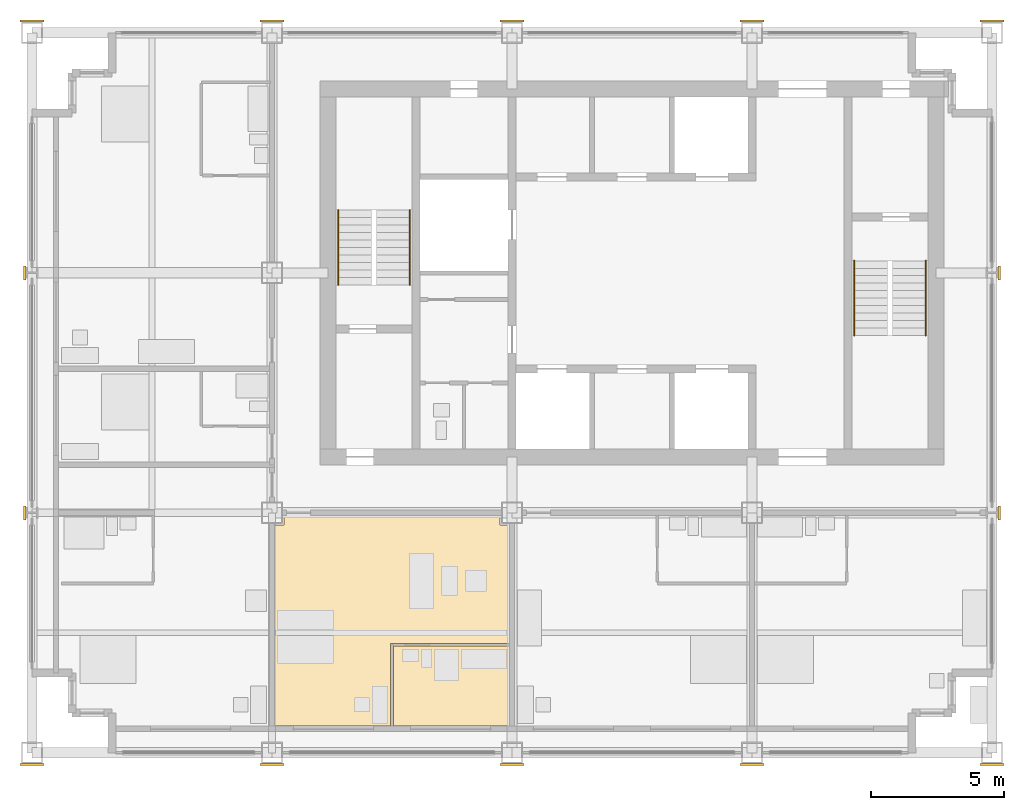
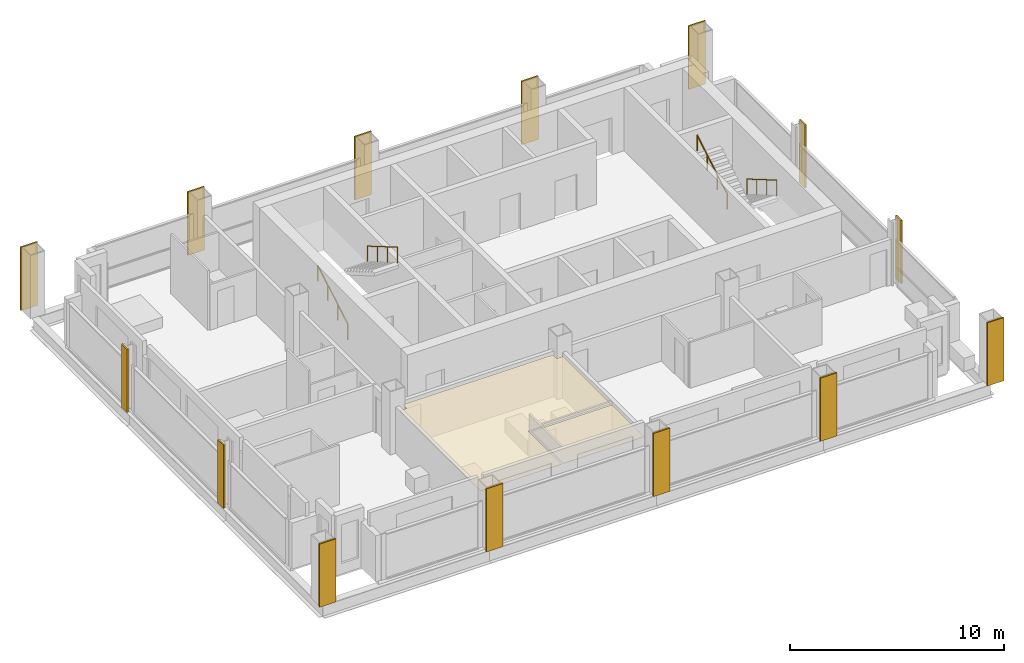
# One storey, part 9 of 11: 16 coverings, 4 railings.
"""IFC4 building model written with IfcOpenShell, lengths in metres."""

from ifc_helpers import new_model, si_unit, direction, frame, origin, origin_2d, place, context, subcontext, project, spatial, polyline, rectangle, circle, outline, extrude, material, layer, layer_set, type_object, element, save


model = new_model("IFC4")

# Units and contexts
model_context = context("Model", 3, precision=1e-05, world=origin(), true_north=direction((0.0, 1.0)))
body_context = subcontext(model_context, "Body", "Model", "MODEL_VIEW")
ifc_project = project(units=[si_unit("LENGTHUNIT", "METRE"), si_unit("AREAUNIT", "SQUARE_METRE"), si_unit("VOLUMEUNIT", "CUBIC_METRE"), si_unit("PLANEANGLEUNIT", "RADIAN"), si_unit("MASSUNIT", "GRAM", prefix="KILO")], contexts=[model_context])

# Site, building, storey
site_placement = place(None, origin())
site = spatial("IfcSite", under=ifc_project, at=site_placement, CompositionType="ELEMENT")
building_placement = place(site_placement, origin())
building = spatial("IfcBuilding", under=site, at=building_placement, Name="Loomwork Tower", CompositionType="ELEMENT")
storey_placement = place(building_placement, frame((0.0, 0.0, 241.0)))
storey = spatial("IfcBuildingStorey", under=building, at=storey_placement, Name="L66", CompositionType="ELEMENT", Elevation=241.0)

# Railings
ifc_material_1 = material(Name="Stainless steel handrail", Category="steel")
railing_type = type_object("IfcRailingType", Name="Handrail 900", PredefinedType="HANDRAIL", material=ifc_material_1)
railing_1_placement = place(storey_placement, frame((11.485107421875, 17.550048828125, 0.16357421875)))
element("IfcRailing", 1, at=railing_1_placement, inside=storey, type_object=railing_type, Name="Stair A handrail flight 1 L66", PredefinedType="HANDRAIL", context=body_context, shape_type="SweptSolid", body=[
    extrude(circle(Radius=0.02392578125, at=origin_2d()), frame((0.0, 0.0, 0.8759765625), z_axis=(0.0, 0.863360870873, 0.504586966384), x_axis=(-1.0, 0.0, 0.0)), (0.0, 0.0, 1.0), 3.2431640625),
    extrude(circle(Radius=0.02099609375, at=origin_2d()), origin(), (0.0, 0.0, 1.0), 0.851806640625),
    extrude(circle(Radius=0.02099609375, at=origin_2d()), frame((0.0, 0.933349609375, 0.54541015625)), (0.0, 0.0, 1.0), 0.851806640625),
    extrude(circle(Radius=0.02099609375, at=origin_2d()), frame((0.0, 1.86669921875, 1.091064453125)), (0.0, 0.0, 1.0), 0.851806640625),
    extrude(circle(Radius=0.02099609375, at=origin_2d()), frame((0.0, 2.800048828125, 1.636474609375)), (0.0, 0.0, 1.0), 0.851806640625),
])
for number, where, name in (
    (2, (14.1650390625, 20.35009765625, 1.963623046875), "Stair A handrail flight 2 L66"),
    (3, (33.514892578125, 18.449951171875, 0.16357421875), "Stair B handrail flight 1 L66"),
):
    element("IfcRailing", number, at=place(storey_placement, frame(where)), inside=storey, type_object=railing_type, Name=name, PredefinedType="HANDRAIL", context=body_context, shape_type="SweptSolid", body=[
        extrude(circle(Radius=0.02392578125, at=origin_2d()), frame((0.0, 0.0, 0.8759765625), z_axis=(0.0, -0.863360870873, 0.504586966384), x_axis=(1.0, 0.0, 0.0)), (0.0, 0.0, 1.0), 3.2431640625),
        extrude(circle(Radius=0.02099609375, at=origin_2d()), origin(), (0.0, 0.0, 1.0), 0.851806640625),
        extrude(circle(Radius=0.02099609375, at=origin_2d()), frame((0.0, -0.933349609375, 0.54541015625)), (0.0, 0.0, 1.0), 0.851806640625),
        extrude(circle(Radius=0.02099609375, at=origin_2d()), frame((0.0, -1.86669921875, 1.091064453125)), (0.0, 0.0, 1.0), 0.851806640625),
        extrude(circle(Radius=0.02099609375, at=origin_2d()), frame((0.0, -2.800048828125, 1.636474609375)), (0.0, 0.0, 1.0), 0.851806640625),
    ])
railing_2_placement = place(storey_placement, frame((30.8349609375, 15.64990234375, 1.963623046875)))
element("IfcRailing", 4, at=railing_2_placement, inside=storey, type_object=railing_type, Name="Stair B handrail flight 2 L66", PredefinedType="HANDRAIL", context=body_context, shape_type="SweptSolid", body=[
    extrude(circle(Radius=0.02392578125, at=origin_2d()), frame((0.0, 0.0, 0.8759765625), z_axis=(0.0, 0.863360870873, 0.504586966384), x_axis=(-1.0, 0.0, 0.0)), (0.0, 0.0, 1.0), 3.2431640625),
    extrude(circle(Radius=0.02099609375, at=origin_2d()), origin(), (0.0, 0.0, 1.0), 0.851806640625),
    extrude(circle(Radius=0.02099609375, at=origin_2d()), frame((0.0, 0.933349609375, 0.54541015625)), (0.0, 0.0, 1.0), 0.851806640625),
    extrude(circle(Radius=0.02099609375, at=origin_2d()), frame((0.0, 1.86669921875, 1.091064453125)), (0.0, 0.0, 1.0), 0.851806640625),
    extrude(circle(Radius=0.02099609375, at=origin_2d()), frame((0.0, 2.800048828125, 1.636474609375)), (0.0, 0.0, 1.0), 0.851806640625),
])

# Coverings
ifc_material_2 = material(Name="Limestone", Category="masonry")
ifc_layer_1 = layer(ifc_material_2, 0.080078125)
ifc_layer_set_1 = layer_set([ifc_layer_1], Name="Limestone pier facing 80")
covering_type_1 = type_object("IfcCoveringType", Name="Limestone pier facing 80", PredefinedType="CLADDING", material=ifc_layer_set_1)
covering_1_placement = place(storey_placement, frame((0.0, -0.43994140625, 0.0), z_axis=(0.0, 0.0, 1.0), x_axis=(1.0, 0.0, 0.0)))
element("IfcCovering", 5, at=covering_1_placement, inside=storey, type_object=covering_type_1, Name="Pier facing D/2 L66", PredefinedType="CLADDING", context=body_context, shape_type="SweptSolid", body=[
    extrude(rectangle(XDim=0.89990234375, YDim=0.080078125, at=origin_2d()), origin(), (0.0, 0.0, 1.0), 3.60009765625),
])
for number, where, z_axis, x_axis, name in (
    (6, (-0.2724609375, 9.0, 0.0), (0.0, 0.0, 1.0), (1.0, 0.0, 0.0), "Pier facing E/2 L66"),
    (7, (-0.2724609375, 18.0, 0.0), (0.0, 0.0, 1.0), (1.0, 0.0, 0.0), "Pier facing F/2 L66"),
):
    element("IfcCovering", number, at=place(storey_placement, frame(where, z_axis=z_axis, x_axis=x_axis)), inside=storey, type_object=covering_type_1, Name=name, PredefinedType="CLADDING", context=body_context, shape_type="SweptSolid", body=[
        extrude(rectangle(XDim=0.080078125, YDim=0.521484375, at=origin_2d()), origin(), (0.0, 0.0, 1.0), 3.60009765625),
    ])
for number, where, z_axis, x_axis, name in (
    (8, (0.0, 27.43994140625, 0.0), (0.0, 0.0, 1.0), (1.0, 0.0, 0.0), "Pier facing G/2 L66"),
    (9, (9.0, -0.43994140625, 0.0), (0.0, 0.0, 1.0), (1.0, 0.0, 0.0), "Pier facing D/3 L66"),
    (10, (9.0, 27.43994140625, 0.0), (0.0, 0.0, 1.0), (1.0, 0.0, 0.0), "Pier facing G/3 L66"),
    (11, (18.0, -0.43994140625, 0.0), (0.0, 0.0, 1.0), (1.0, 0.0, 0.0), "Pier facing D/4 L66"),
    (12, (18.0, 27.43994140625, 0.0), (0.0, 0.0, 1.0), (1.0, 0.0, 0.0), "Pier facing G/4 L66"),
    (13, (27.0, -0.43994140625, 0.0), (0.0, 0.0, 1.0), (1.0, 0.0, 0.0), "Pier facing D/5 L66"),
    (14, (27.0, 27.43994140625, 0.0), (0.0, 0.0, 1.0), (1.0, 0.0, 0.0), "Pier facing G/5 L66"),
    (15, (36.0, -0.43994140625, 0.0), (0.0, 0.0, 1.0), (1.0, 0.0, 0.0), "Pier facing D/6 L66"),
):
    element("IfcCovering", number, at=place(storey_placement, frame(where, z_axis=z_axis, x_axis=x_axis)), inside=storey, type_object=covering_type_1, Name=name, PredefinedType="CLADDING", context=body_context, shape_type="SweptSolid", body=[
        extrude(rectangle(XDim=0.89990234375, YDim=0.080078125, at=origin_2d()), origin(), (0.0, 0.0, 1.0), 3.60009765625),
    ])
for number, where, z_axis, x_axis, name in (
    (16, (36.2724609375, 9.0, 0.0), (0.0, 0.0, 1.0), (1.0, 0.0, 0.0), "Pier facing E/6 L66"),
    (17, (36.2724609375, 18.0, 0.0), (0.0, 0.0, 1.0), (1.0, 0.0, 0.0), "Pier facing F/6 L66"),
):
    element("IfcCovering", number, at=place(storey_placement, frame(where, z_axis=z_axis, x_axis=x_axis)), inside=storey, type_object=covering_type_1, Name=name, PredefinedType="CLADDING", context=body_context, shape_type="SweptSolid", body=[
        extrude(rectangle(XDim=0.080078125, YDim=0.521484375, at=origin_2d()), origin(), (0.0, 0.0, 1.0), 3.60009765625),
    ])
covering_2_placement = place(storey_placement, frame((36.0, 27.43994140625, 0.0), z_axis=(0.0, 0.0, 1.0), x_axis=(1.0, 0.0, 0.0)))
element("IfcCovering", 18, at=covering_2_placement, inside=storey, type_object=covering_type_1, Name="Pier facing G/6 L66", PredefinedType="CLADDING", context=body_context, shape_type="SweptSolid", body=[
    extrude(rectangle(XDim=0.89990234375, YDim=0.080078125, at=origin_2d()), origin(), (0.0, 0.0, 1.0), 3.60009765625),
])
ifc_material_3 = material(Name="Mineral fibre acoustic tile on suspension grid")
ifc_layer_2 = layer(ifc_material_3, 0.02490234375)
ifc_layer_set_2 = layer_set([ifc_layer_2], Name="Suspended acoustic ceiling")
covering_type_2 = type_object("IfcCoveringType", Name="Suspended acoustic ceiling", PredefinedType="CEILING", material=ifc_layer_set_2)
covering_3_placement = place(storey_placement, frame((0.0, 0.0, 2.375)))
element("IfcCovering", 19, at=covering_3_placement, inside=storey, type_object=covering_type_2, Name="Ceiling Spa bathroom L66", PredefinedType="CEILING", context=body_context, shape_type="SweptSolid", body=[
    extrude(outline(polyline([(17.89990234375, 4.0), (17.89990234375, 1.0), (13.550048828125, 1.0), (13.550048828125, 4.0), (17.89990234375, 4.0)])), origin(), (0.0, 0.0, 1.0), 0.02490234375),
])
covering_4_placement = place(storey_placement, frame((0.0, 0.0, 2.375)))
element("IfcCovering", 20, at=covering_4_placement, inside=storey, type_object=covering_type_2, Name="Ceiling Spa suite L66", PredefinedType="CEILING", context=body_context, shape_type="SweptSolid", body=[
    extrude(outline(polyline([(17.550048828125, 8.89990234375), (17.550048828125, 8.550048828125), (17.89990234375, 8.550048828125), (17.89990234375, 4.10009765625), (13.449951171875, 4.10009765625), (13.449951171875, 1.0), (9.10009765625, 1.0), (9.10009765625, 8.550048828125), (9.449951171875, 8.550048828125), (9.449951171875, 8.89990234375), (17.550048828125, 8.89990234375)])), origin(), (0.0, 0.0, 1.0), 0.02490234375),
])

save(model, "model.ifc")
